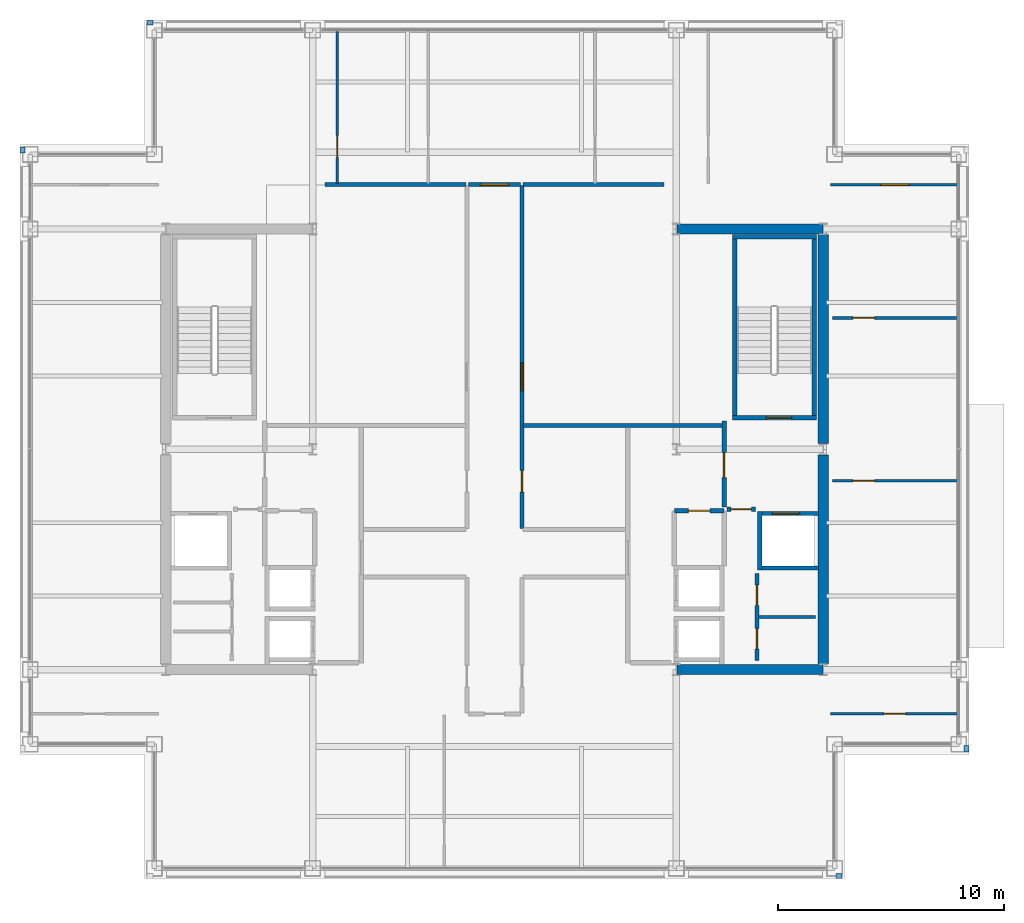
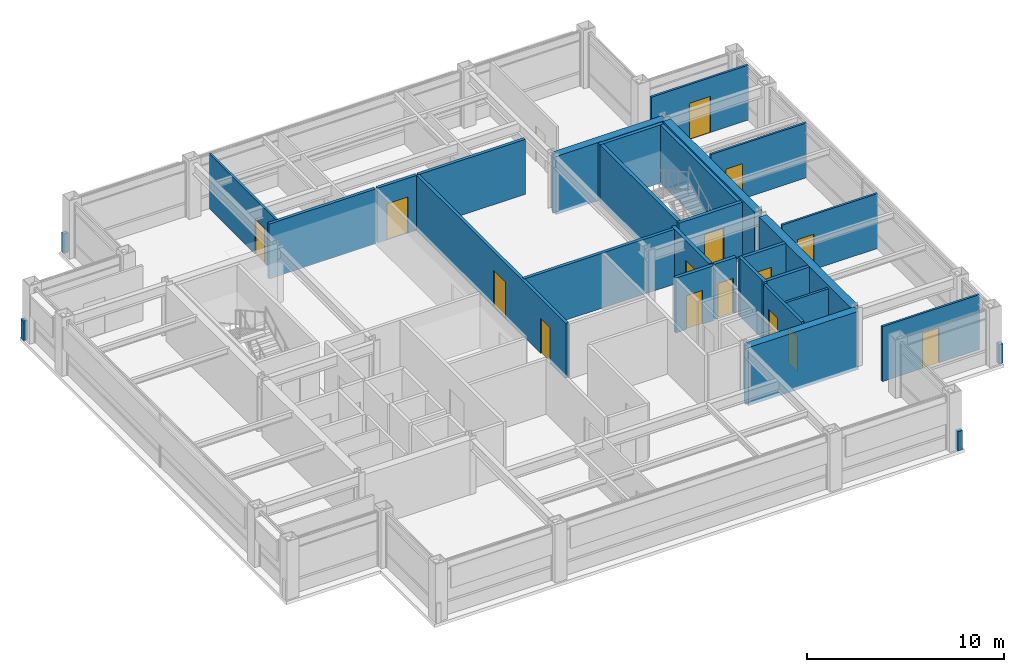
# One storey, part 24 of 26: 30 walls, 15 doors, 15 openings.
"""IFC4 building model written with IfcOpenShell, lengths in metres."""

from ifc_helpers import new_model, si_unit, direction, frame, frame_2d, origin, place, context, subcontext, project, spatial, rectangle, extrude, material, layer, layer_set, type_object, element, fill, save


model = new_model("IFC4")

# Units and contexts
model_context = context("Model", 3, precision=1e-05, world=origin(), true_north=direction((0.0, 1.0)))
body_context = subcontext(model_context, "Body", "Model", "MODEL_VIEW")
ifc_project = project(units=[si_unit("LENGTHUNIT", "METRE"), si_unit("AREAUNIT", "SQUARE_METRE"), si_unit("VOLUMEUNIT", "CUBIC_METRE"), si_unit("PLANEANGLEUNIT", "RADIAN"), si_unit("MASSUNIT", "GRAM", prefix="KILO")], contexts=[model_context])

# Site, building, storey
site_placement = place(None, origin())
site = spatial("IfcSite", under=ifc_project, at=site_placement, CompositionType="ELEMENT")
building_placement = place(site_placement, origin())
building = spatial("IfcBuilding", under=site, at=building_placement, Name="Brelmoor Portico Tower", CompositionType="ELEMENT")
storey_placement = place(building_placement, frame((0.0, 0.0, 205.5)))
storey = spatial("IfcBuildingStorey", under=building, at=storey_placement, Name="L54", CompositionType="ELEMENT", Elevation=205.5)

# Walls
ifc_material_1 = material(Name="Concrete C50", Category="concrete")
ifc_layer_1 = layer(ifc_material_1, 0.449951171875)
ifc_layer_set_1 = layer_set([ifc_layer_1], Name="Concrete C50")
wall_type_1 = type_object("IfcWallType", Name="WL-CORE-450", PredefinedType="SHEAR", material=ifc_layer_set_1)
for number, where, z_axis, x_axis, name in (
    (1, (8.070068359375, -9.75, -0.199951171875), (0.0, 0.0, 1.0), (1.0, 0.0, 0.0), "L54 EC South Shear Wall"),
    (2, (8.070068359375, 9.75, -0.199951171875), (0.0, 0.0, 1.0), (1.0, 0.0, 0.0), "L54 EC North Shear Wall"),
):
    element("IfcWall", number, at=place(storey_placement, frame(where, z_axis=z_axis, x_axis=x_axis)), inside=storey, type_object=wall_type_1, Name=name, PredefinedType="SHEAR", context=body_context, shape_type="SweptSolid", body=[
        extrude(rectangle(XDim=6.4599609375, YDim=0.449951171875, at=frame_2d((3.22998046875, 0.0))), origin(), (0.0, 0.0, 1.0), 3.599853515625),
    ])
for number, where, z_axis, x_axis, name in (
    (3, (14.550048828125, -9.5, -0.199951171875), (0.0, 0.0, 1.0), (0.0, 1.0, 0.0), "L54 EC Outer South Shear Wall"),
    (4, (14.550048828125, 0.25, -0.199951171875), (0.0, 0.0, 1.0), (0.0, 1.0, 0.0), "L54 EC Outer North Shear Wall"),
):
    element("IfcWall", number, at=place(storey_placement, frame(where, z_axis=z_axis, x_axis=x_axis)), inside=storey, type_object=wall_type_1, Name=name, PredefinedType="SHEAR", context=body_context, shape_type="SweptSolid", body=[
        extrude(rectangle(XDim=9.25, YDim=0.449951171875, at=frame_2d((4.625, 0.0))), origin(), (0.0, 0.0, 1.0), 3.599853515625),
    ])
ifc_material_2 = material(Name="Concrete C40 Parapet Upstand", Category="concrete")
ifc_layer_2 = layer(ifc_material_2, 0.219970703125)
ifc_layer_set_2 = layer_set([ifc_layer_2], Name="Concrete C40 Parapet Upstand")
wall_type_2 = type_object("IfcWallType", Name="WL-PARAPET-220", PredefinedType="PARAPET", material=ifc_layer_set_2)
for number, where, z_axis, x_axis, name in (
    (5, (15.1201171875, -18.889892578125, 0.0), (0.0, 0.0, 1.0), (1.0, 0.0, 0.0), "L54 Chamfer Vertex Parapet Pier SE1"),
    (6, (20.889892578125, -13.389892578125, 0.0), (0.0, 0.0, 1.0), (0.0, 1.0, 0.0), "L54 Chamfer Vertex Parapet Pier SE2"),
    (7, (-15.389892578125, 18.889892578125, 0.0), (0.0, 0.0, 1.0), (1.0, 0.0, 0.0), "L54 Chamfer Vertex Parapet Pier NW1"),
    (8, (-20.889892578125, 13.1201171875, 0.0), (0.0, 0.0, 1.0), (0.0, 1.0, 0.0), "L54 Chamfer Vertex Parapet Pier NW2"),
):
    element("IfcWall", number, at=place(storey_placement, frame(where, z_axis=z_axis, x_axis=x_axis)), inside=storey, type_object=wall_type_2, Name=name, PredefinedType="PARAPET", context=body_context, shape_type="SweptSolid", body=[
        extrude(rectangle(XDim=0.269775390625, YDim=0.219970703125, at=frame_2d((0.134765625, 0.0))), origin(), (0.0, 0.0, 1.0), 1.199951171875),
    ])

# Wall, opening, door
ifc_material_3 = material(Name="Lightweight Gypsum Office Partition", Category="gypsum")
ifc_layer_3 = layer(ifc_material_3, 0.1201171875)
ifc_layer_set_3 = layer_set([ifc_layer_3], Name="Lightweight Gypsum Office Partition")
wall_type_3 = type_object("IfcWallType", Name="WL-PART-120", PredefinedType="PARTITIONING", material=ifc_layer_set_3)
wall_1_placement = place(storey_placement, frame((-6.955078125, 11.77001953125, 0.0), z_axis=(0.0, 0.0, 1.0), x_axis=(0.0, 1.0, 0.0)))
wall_1 = element("IfcWall", 9, at=wall_1_placement, inside=storey, type_object=wall_type_3, Name="L54 North Suite Partition 1", PredefinedType="PARTITIONING", context=body_context, shape_type="SweptSolid", body=[
    extrude(rectangle(XDim=6.7900390625, YDim=0.1201171875, at=frame_2d((3.39501953125, 0.0))), origin(), (0.0, 0.0, 1.0), 3.39990234375),
])
opening_1_placement = place(wall_1_placement, frame((1.14990234375, 0.0, 0.0)))
opening_1 = element("IfcOpeningElement", 10, at=opening_1_placement, cuts=wall_1, Name="Opening D-IN2", PredefinedType="OPENING", context=body_context, shape_type="SweptSolid", body=[
    extrude(rectangle(XDim=0.9599609375, YDim=2.179931640625, at=frame_2d((0.47998046875, 1.08984375))), frame((0.0, 0.070068359375, 0.0), z_axis=(0.0, -1.0, 0.0), x_axis=(1.0, 0.0, 0.0)), (0.0, 0.0, 1.0), 0.14013671875),
])
ifc_material_4 = material(Name="Lacquered Timber Suite Door", Category="wood")
door_type_1 = type_object("IfcDoorType", Name="DR-INT-950", OperationType="NOTDEFINED", PredefinedType="DOOR", material=ifc_material_4)
door_1_placement = place(opening_1_placement, origin())
door_1 = element("IfcDoor", 11, at=door_1_placement, inside=storey, type_object=door_type_1, Name="D-2280 L54 North Suite Connecting Door 1", OperationType="SINGLE_SWING_LEFT", OverallHeight=2.179931640625, OverallWidth=0.9599609375, PredefinedType="DOOR", context=body_context, shape_type="SweptSolid", body=[
    extrude(rectangle(XDim=0.9599609375, YDim=2.179931640625, at=frame_2d((0.47998046875, 1.08984375))), frame((0.0, 0.02490234375, 0.0), z_axis=(0.0, -1.0, 0.0), x_axis=(1.0, 0.0, 0.0)), (0.0, 0.0, 1.0), 0.050048828125),
])
fill(opening_1, door_1)

wall_2_placement = place(storey_placement, frame((14.8798828125, 11.7099609375, 0.0), z_axis=(0.0, 0.0, 1.0), x_axis=(1.0, 0.0, 0.0)))
wall_2 = element("IfcWall", 12, at=wall_2_placement, inside=storey, type_object=wall_type_3, Name="L54 North Wing Suite Wall ER", PredefinedType="PARTITIONING", context=body_context, shape_type="SweptSolid", body=[
    extrude(rectangle(XDim=5.68017578125, YDim=0.1201171875, at=frame_2d((2.840087890625, 0.0))), origin(), (0.0, 0.0, 1.0), 3.39990234375),
])
opening_2_placement = place(wall_2_placement, frame((2.219970703125, 0.0, 0.0)))
opening_2 = element("IfcOpeningElement", 13, at=opening_2_placement, cuts=wall_2, Name="Opening D-SU1", PredefinedType="OPENING", context=body_context, shape_type="SweptSolid", body=[
    extrude(rectangle(XDim=1.239990234375, YDim=2.239990234375, at=frame_2d((0.6201171875, 1.1201171875))), frame((0.0, 0.070068359375, 0.0), z_axis=(0.0, -1.0, 0.0), x_axis=(1.0, 0.0, 0.0)), (0.0, 0.0, 1.0), 0.14013671875),
])
ifc_material_5 = material(Name="Glazed Timber Executive Suite Door", Category="wood")
door_type_2 = type_object("IfcDoorType", Name="DR-SUITE-1200", OperationType="NOTDEFINED", PredefinedType="DOOR", material=ifc_material_5)
door_2_placement = place(opening_2_placement, origin())
door_2 = element("IfcDoor", 14, at=door_2_placement, inside=storey, type_object=door_type_2, Name="D-2284 L54 ER Wing Suite Connecting Door", OperationType="SINGLE_SWING_LEFT", OverallHeight=2.239990234375, OverallWidth=1.239990234375, PredefinedType="DOOR", context=body_context, shape_type="SweptSolid", body=[
    extrude(rectangle(XDim=1.239990234375, YDim=2.239990234375, at=frame_2d((0.6201171875, 1.1201171875))), frame((0.0, 0.02490234375, 0.0), z_axis=(0.0, -1.0, 0.0), x_axis=(1.0, 0.0, 0.0)), (0.0, 0.0, 1.0), 0.050048828125),
])
fill(opening_2, door_2)

wall_3_placement = place(storey_placement, frame((14.8798828125, -11.7099609375, 0.0), z_axis=(0.0, 0.0, 1.0), x_axis=(1.0, 0.0, 0.0)))
wall_3 = element("IfcWall", 15, at=wall_3_placement, inside=storey, type_object=wall_type_3, Name="L54 South Wing Closure ER", PredefinedType="PARTITIONING", context=body_context, shape_type="SweptSolid", body=[
    extrude(rectangle(XDim=5.68017578125, YDim=0.1201171875, at=frame_2d((2.840087890625, 0.0))), origin(), (0.0, 0.0, 1.0), 3.39990234375),
])
opening_3_placement = place(wall_3_placement, frame((2.360107421875, 0.0, 0.0)))
opening_3 = element("IfcOpeningElement", 16, at=opening_3_placement, cuts=wall_3, Name="Opening D-IN2", PredefinedType="OPENING", context=body_context, shape_type="SweptSolid", body=[
    extrude(rectangle(XDim=0.9599609375, YDim=2.179931640625, at=frame_2d((0.47998046875, 1.08984375))), frame((0.0, 0.070068359375, 0.0), z_axis=(0.0, -1.0, 0.0), x_axis=(1.0, 0.0, 0.0)), (0.0, 0.0, 1.0), 0.14013671875),
])
door_3_placement = place(opening_3_placement, origin())
door_3 = element("IfcDoor", 17, at=door_3_placement, inside=storey, type_object=door_type_1, Name="D-2290 L54 ER Wing South Suite Door", OperationType="SINGLE_SWING_LEFT", OverallHeight=2.179931640625, OverallWidth=0.9599609375, PredefinedType="DOOR", context=body_context, shape_type="SweptSolid", body=[
    extrude(rectangle(XDim=0.9599609375, YDim=2.179931640625, at=frame_2d((0.47998046875, 1.08984375))), frame((0.0, 0.02490234375, 0.0), z_axis=(0.0, -1.0, 0.0), x_axis=(1.0, 0.0, 0.0)), (0.0, 0.0, 1.0), 0.050048828125),
])
fill(opening_3, door_3)

wall_4_placement = place(storey_placement, frame((14.9599609375, -1.3955078125, 0.0), z_axis=(0.0, 0.0, 1.0), x_axis=(1.0, 0.0, 0.0)))
wall_4 = element("IfcWall", 18, at=wall_4_placement, inside=storey, type_object=wall_type_3, Name="L54 E Wing Partition 1", PredefinedType="PARTITIONING", context=body_context, shape_type="SweptSolid", body=[
    extrude(rectangle(XDim=5.60009765625, YDim=0.1201171875, at=frame_2d((2.800048828125, 0.0))), origin(), (0.0, 0.0, 1.0), 3.39990234375),
])
opening_4_placement = place(wall_4_placement, frame((0.89990234375, 0.0, 0.0)))
opening_4 = element("IfcOpeningElement", 19, at=opening_4_placement, cuts=wall_4, Name="Opening D-IN2", PredefinedType="OPENING", context=body_context, shape_type="SweptSolid", body=[
    extrude(rectangle(XDim=0.9599609375, YDim=2.179931640625, at=frame_2d((0.47998046875, 1.08984375))), frame((0.0, 0.070068359375, 0.0), z_axis=(0.0, -1.0, 0.0), x_axis=(1.0, 0.0, 0.0)), (0.0, 0.0, 1.0), 0.14013671875),
])
door_4_placement = place(opening_4_placement, origin())
door_4 = element("IfcDoor", 20, at=door_4_placement, inside=storey, type_object=door_type_1, Name="D-2292 L54 E Wing Suite Connecting Door 1", OperationType="SINGLE_SWING_RIGHT", OverallHeight=2.179931640625, OverallWidth=0.9599609375, PredefinedType="DOOR", context=body_context, shape_type="SweptSolid", body=[
    extrude(rectangle(XDim=0.9599609375, YDim=2.179931640625, at=frame_2d((0.47998046875, 1.08984375))), frame((0.0, 0.02490234375, 0.0), z_axis=(0.0, -1.0, 0.0), x_axis=(1.0, 0.0, 0.0)), (0.0, 0.0, 1.0), 0.050048828125),
])
fill(opening_4, door_4)

wall_5_placement = place(storey_placement, frame((14.9599609375, 5.81494140625, 0.0), z_axis=(0.0, 0.0, 1.0), x_axis=(1.0, 0.0, 0.0)))
wall_5 = element("IfcWall", 21, at=wall_5_placement, inside=storey, type_object=wall_type_3, Name="L54 E Wing Partition 2", PredefinedType="PARTITIONING", context=body_context, shape_type="SweptSolid", body=[
    extrude(rectangle(XDim=5.60009765625, YDim=0.1201171875, at=frame_2d((2.800048828125, 0.0))), origin(), (0.0, 0.0, 1.0), 3.39990234375),
])
opening_5_placement = place(wall_5_placement, frame((0.89990234375, 0.0, 0.0)))
opening_5 = element("IfcOpeningElement", 22, at=opening_5_placement, cuts=wall_5, Name="Opening D-IN2", PredefinedType="OPENING", context=body_context, shape_type="SweptSolid", body=[
    extrude(rectangle(XDim=0.9599609375, YDim=2.179931640625, at=frame_2d((0.47998046875, 1.08984375))), frame((0.0, 0.070068359375, 0.0), z_axis=(0.0, -1.0, 0.0), x_axis=(1.0, 0.0, 0.0)), (0.0, 0.0, 1.0), 0.14013671875),
])
door_5_placement = place(opening_5_placement, origin())
door_5 = element("IfcDoor", 23, at=door_5_placement, inside=storey, type_object=door_type_1, Name="D-2293 L54 E Wing Suite Connecting Door 2", OperationType="SINGLE_SWING_LEFT", OverallHeight=2.179931640625, OverallWidth=0.9599609375, PredefinedType="DOOR", context=body_context, shape_type="SweptSolid", body=[
    extrude(rectangle(XDim=0.9599609375, YDim=2.179931640625, at=frame_2d((0.47998046875, 1.08984375))), frame((0.0, 0.02490234375, 0.0), z_axis=(0.0, -1.0, 0.0), x_axis=(1.0, 0.0, 0.0)), (0.0, 0.0, 1.0), 0.050048828125),
])
fill(opening_5, door_5)

# Wall
ifc_material_6 = material(Name="Insulated Stud Suite Partition", Category="gypsum")
ifc_layer_4 = layer(ifc_material_6, 0.139892578125)
ifc_layer_set_4 = layer_set([ifc_layer_4], Name="Insulated Stud Suite Partition")
wall_type_4 = type_object("IfcWallType", Name="WL-PART-140", PredefinedType="PARTITIONING", material=ifc_layer_set_4)
wall_6_placement = place(storey_placement, frame((11.699951171875, -7.425048828125, 0.0), z_axis=(0.0, 0.0, 1.0), x_axis=(1.0, 0.0, 0.0)))
element("IfcWall", 24, at=wall_6_placement, inside=storey, type_object=wall_type_4, Name="L54 E Core WC Divider 1", PredefinedType="PARTITIONING", context=body_context, shape_type="SweptSolid", body=[
    extrude(rectangle(XDim=2.5, YDim=0.139892578125, at=frame_2d((1.25, 0.0))), origin(), (0.0, 0.0, 1.0), 3.39990234375),
])

# Wall, openings, doors
ifc_material_7 = material(Name="Twin-Frame Acoustic Partition", Category="gypsum")
ifc_layer_5 = layer(ifc_material_7, 0.159912109375)
ifc_layer_set_5 = layer_set([ifc_layer_5], Name="Twin-Frame Acoustic Partition")
wall_type_5 = type_object("IfcWallType", Name="WL-PART-160", PredefinedType="PARTITIONING", material=ifc_layer_set_5)
wall_7_placement = place(storey_placement, frame((11.6201171875, -9.35009765625, 0.0), z_axis=(0.0, 0.0, 1.0), x_axis=(0.0, 1.0, 0.0)))
wall_7 = element("IfcWall", 25, at=wall_7_placement, inside=storey, type_object=wall_type_5, Name="L54 E Core Service Front Wall", PredefinedType="PARTITIONING", context=body_context, shape_type="SweptSolid", body=[
    extrude(rectangle(XDim=3.85009765625, YDim=0.159912109375, at=frame_2d((1.925048828125, 0.0))), origin(), (0.0, 0.0, 1.0), 3.39990234375),
])
opening_6_placement = place(wall_7_placement, frame((0.512451171875, 0.0, 0.0)))
opening_6 = element("IfcOpeningElement", 26, at=opening_6_placement, cuts=wall_7, Name="Opening D-IN1", PredefinedType="OPENING", context=body_context, shape_type="SweptSolid", body=[
    extrude(rectangle(XDim=0.89990234375, YDim=2.14990234375, at=frame_2d((0.449951171875, 1.074951171875))), frame((0.0, 0.08984375, 0.0), z_axis=(0.0, -1.0, 0.0), x_axis=(1.0, 0.0, 0.0)), (0.0, 0.0, 1.0), 0.179931640625),
])
opening_7_placement = place(wall_7_placement, frame((2.4375, 0.0, 0.0)))
opening_7 = element("IfcOpeningElement", 27, at=opening_7_placement, cuts=wall_7, Name="Opening D-IN1", PredefinedType="OPENING", context=body_context, shape_type="SweptSolid", body=[
    extrude(rectangle(XDim=0.89990234375, YDim=2.14990234375, at=frame_2d((0.449951171875, 1.074951171875))), frame((0.0, 0.08984375, 0.0), z_axis=(0.0, -1.0, 0.0), x_axis=(1.0, 0.0, 0.0)), (0.0, 0.0, 1.0), 0.179931640625),
])
door_type_3 = type_object("IfcDoorType", Name="DR-INT-900", OperationType="NOTDEFINED", PredefinedType="DOOR", material=ifc_material_4)
door_6_placement = place(opening_6_placement, origin())
door_6 = element("IfcDoor", 28, at=door_6_placement, inside=storey, type_object=door_type_3, Name="D-2266 L54 E Male WC Door", OperationType="SINGLE_SWING_LEFT", OverallHeight=2.14990234375, OverallWidth=0.89990234375, PredefinedType="DOOR", context=body_context, shape_type="SweptSolid", body=[
    extrude(rectangle(XDim=0.89990234375, YDim=2.14990234375, at=frame_2d((0.449951171875, 1.074951171875))), frame((0.0, 0.02490234375, 0.0), z_axis=(0.0, -1.0, 0.0), x_axis=(1.0, 0.0, 0.0)), (0.0, 0.0, 1.0), 0.050048828125),
])
fill(opening_6, door_6)
door_7_placement = place(opening_7_placement, origin())
door_7 = element("IfcDoor", 29, at=door_7_placement, inside=storey, type_object=door_type_3, Name="D-2267 L54 E Female WC Door", OperationType="SINGLE_SWING_RIGHT", OverallHeight=2.14990234375, OverallWidth=0.89990234375, PredefinedType="DOOR", context=body_context, shape_type="SweptSolid", body=[
    extrude(rectangle(XDim=0.89990234375, YDim=2.14990234375, at=frame_2d((0.449951171875, 1.074951171875))), frame((0.0, 0.02490234375, 0.0), z_axis=(0.0, -1.0, 0.0), x_axis=(1.0, 0.0, 0.0)), (0.0, 0.0, 1.0), 0.050048828125),
])
fill(opening_7, door_7)

# Walls
ifc_material_8 = material(Name="Acoustic Corridor Fire Partition", Category="gypsum")
ifc_layer_6 = layer(ifc_material_8, 0.179931640625)
ifc_layer_set_6 = layer_set([ifc_layer_6], Name="Acoustic Corridor Fire Partition")
wall_type_6 = type_object("IfcWallType", Name="WL-PART-180", PredefinedType="PARTITIONING", material=ifc_layer_set_6)
wall_8_placement = place(storey_placement, frame((-7.5, 11.7099609375, 0.0), z_axis=(0.0, 0.0, 1.0), x_axis=(1.0, 0.0, 0.0)))
element("IfcWall", 30, at=wall_8_placement, inside=storey, type_object=wall_type_6, Name="L54 West Reclaimed Suite North Wall", PredefinedType="PARTITIONING", context=body_context, shape_type="SweptSolid", body=[
    extrude(rectangle(XDim=6.239990234375, YDim=0.179931640625, at=frame_2d((3.1201171875, 0.0))), origin(), (0.0, 0.0, 1.0), 3.39990234375),
])
wall_9_placement = place(storey_placement, frame((1.260009765625, 1.050048828125, 0.0), z_axis=(0.0, 0.0, 1.0), x_axis=(1.0, 0.0, 0.0)))
element("IfcWall", 31, at=wall_9_placement, inside=storey, type_object=wall_type_6, Name="L54 East Suite South Wall", PredefinedType="PARTITIONING", context=body_context, shape_type="SweptSolid", body=[
    extrude(rectangle(XDim=8.800048828125, YDim=0.179931640625, at=frame_2d((4.39990234375, 0.0))), origin(), (0.0, 0.0, 1.0), 3.39990234375),
])

# Wall, openings, doors
wall_10_placement = place(storey_placement, frame((1.219970703125, -3.5, 0.0), z_axis=(0.0, 0.0, 1.0), x_axis=(0.0, 1.0, 0.0)))
wall_10 = element("IfcWall", 32, at=wall_10_placement, inside=storey, type_object=wall_type_6, Name="L54 Central Cross East Wall", PredefinedType="PARTITIONING", context=body_context, shape_type="SweptSolid", body=[
    extrude(rectangle(XDim=15.169921875, YDim=0.179931640625, at=frame_2d((7.5849609375, 0.0))), origin(), (0.0, 0.0, 1.0), 3.39990234375),
])
opening_8_placement = place(wall_10_placement, frame((6.10009765625, 0.0, 0.0)))
opening_8 = element("IfcOpeningElement", 33, at=opening_8_placement, cuts=wall_10, Name="Opening D-SU1", PredefinedType="OPENING", context=body_context, shape_type="SweptSolid", body=[
    extrude(rectangle(XDim=1.239990234375, YDim=2.239990234375, at=frame_2d((0.6201171875, 1.1201171875))), frame((0.0, 0.099853515625, 0.0), z_axis=(0.0, -1.0, 0.0), x_axis=(1.0, 0.0, 0.0)), (0.0, 0.0, 1.0), 0.199951171875),
])
opening_9_placement = place(wall_10_placement, frame((1.60009765625, 0.0, 0.0)))
opening_9 = element("IfcOpeningElement", 34, at=opening_9_placement, cuts=wall_10, Name="Opening D-IN2", PredefinedType="OPENING", context=body_context, shape_type="SweptSolid", body=[
    extrude(rectangle(XDim=0.9599609375, YDim=2.179931640625, at=frame_2d((0.47998046875, 1.08984375))), frame((0.0, 0.099853515625, 0.0), z_axis=(0.0, -1.0, 0.0), x_axis=(1.0, 0.0, 0.0)), (0.0, 0.0, 1.0), 0.199951171875),
])
door_8_placement = place(opening_9_placement, origin())
door_8 = element("IfcDoor", 35, at=door_8_placement, inside=storey, type_object=door_type_1, Name="D-2260 L54 Client Project Office Door", OperationType="SINGLE_SWING_RIGHT", OverallHeight=2.179931640625, OverallWidth=0.9599609375, PredefinedType="DOOR", context=body_context, shape_type="SweptSolid", body=[
    extrude(rectangle(XDim=0.9599609375, YDim=2.179931640625, at=frame_2d((0.47998046875, 1.08984375))), frame((0.0, 0.02490234375, 0.0), z_axis=(0.0, -1.0, 0.0), x_axis=(1.0, 0.0, 0.0)), (0.0, 0.0, 1.0), 0.050048828125),
])
fill(opening_9, door_8)
door_9_placement = place(opening_8_placement, origin())
door_9 = element("IfcDoor", 36, at=door_9_placement, inside=storey, type_object=door_type_2, Name="D-2261 L54 East Reclaimed Studio Door", OperationType="SINGLE_SWING_LEFT", OverallHeight=2.239990234375, OverallWidth=1.239990234375, PredefinedType="DOOR", context=body_context, shape_type="SweptSolid", body=[
    extrude(rectangle(XDim=1.239990234375, YDim=2.239990234375, at=frame_2d((0.6201171875, 1.1201171875))), frame((0.0, 0.02490234375, 0.0), z_axis=(0.0, -1.0, 0.0), x_axis=(1.0, 0.0, 0.0)), (0.0, 0.0, 1.0), 0.050048828125),
])
fill(opening_8, door_9)

# Wall
wall_11_placement = place(storey_placement, frame((1.260009765625, 11.7099609375, 0.0), z_axis=(0.0, 0.0, 1.0), x_axis=(1.0, 0.0, 0.0)))
element("IfcWall", 37, at=wall_11_placement, inside=storey, type_object=wall_type_6, Name="L54 East Suite North Wall", PredefinedType="PARTITIONING", context=body_context, shape_type="SweptSolid", body=[
    extrude(rectangle(XDim=6.239990234375, YDim=0.179931640625, at=frame_2d((3.1201171875, 0.0))), origin(), (0.0, 0.0, 1.0), 3.39990234375),
])

# Wall, opening, door
wall_12_placement = place(storey_placement, frame((-1.14990234375, 11.7099609375, 0.0), z_axis=(0.0, 0.0, 1.0), x_axis=(1.0, 0.0, 0.0)))
wall_12 = element("IfcWall", 38, at=wall_12_placement, inside=storey, type_object=wall_type_6, Name="L54 North Corridor Partition", PredefinedType="PARTITIONING", context=body_context, shape_type="SweptSolid", body=[
    extrude(rectangle(XDim=2.2998046875, YDim=0.179931640625, at=frame_2d((1.14990234375, 0.0))), origin(), (0.0, 0.0, 1.0), 3.39990234375),
])
opening_10_placement = place(wall_12_placement, frame((0.530029296875, 0.0, 0.0)))
opening_10 = element("IfcOpeningElement", 39, at=opening_10_placement, cuts=wall_12, Name="Opening D-SU1", PredefinedType="OPENING", context=body_context, shape_type="SweptSolid", body=[
    extrude(rectangle(XDim=1.239990234375, YDim=2.239990234375, at=frame_2d((0.6201171875, 1.1201171875))), frame((0.0, 0.099853515625, 0.0), z_axis=(0.0, -1.0, 0.0), x_axis=(1.0, 0.0, 0.0)), (0.0, 0.0, 1.0), 0.199951171875),
])
door_10_placement = place(opening_10_placement, origin())
door_10 = element("IfcDoor", 40, at=door_10_placement, inside=storey, type_object=door_type_2, Name="D-2279 L54 North Partner Office 3 Door", OperationType="SINGLE_SWING_LEFT", OverallHeight=2.239990234375, OverallWidth=1.239990234375, PredefinedType="DOOR", context=body_context, shape_type="SweptSolid", body=[
    extrude(rectangle(XDim=1.239990234375, YDim=2.239990234375, at=frame_2d((0.6201171875, 1.1201171875))), frame((0.0, 0.02490234375, 0.0), z_axis=(0.0, -1.0, 0.0), x_axis=(1.0, 0.0, 0.0)), (0.0, 0.0, 1.0), 0.050048828125),
])
fill(opening_10, door_10)

ifc_material_9 = material(Name="Double-Stud Gypsum Fire Partition", Category="gypsum")
ifc_layer_7 = layer(ifc_material_9, 0.199951171875)
ifc_layer_set_7 = layer_set([ifc_layer_7], Name="Double-Stud Gypsum Fire Partition")
wall_type_7 = type_object("IfcWallType", Name="WL-PART-200", PredefinedType="PARTITIONING", material=ifc_layer_set_7)
wall_13_placement = place(storey_placement, frame((10.159912109375, -2.550048828125, 0.0), z_axis=(0.0, 0.0, 1.0), x_axis=(0.0, 1.0, 0.0)))
wall_13 = element("IfcWall", 41, at=wall_13_placement, inside=storey, type_object=wall_type_7, Name="L54 E Firefighting Lobby Wall", PredefinedType="PARTITIONING", context=body_context, shape_type="SweptSolid", body=[
    extrude(rectangle(XDim=3.800048828125, YDim=0.199951171875, at=frame_2d((1.89990234375, 0.0))), origin(), (0.0, 0.0, 1.0), 3.39990234375),
])
opening_11_placement = place(wall_13_placement, frame((1.300048828125, 0.0, 0.0)))
opening_11 = element("IfcOpeningElement", 42, at=opening_11_placement, cuts=wall_13, Name="Opening D-FR1", PredefinedType="OPENING", context=body_context, shape_type="SweptSolid", body=[
    extrude(rectangle(XDim=1.10009765625, YDim=2.14990234375, at=frame_2d((0.550048828125, 1.074951171875))), frame((0.0, 0.10986328125, 0.0), z_axis=(0.0, -1.0, 0.0), x_axis=(1.0, 0.0, 0.0)), (0.0, 0.0, 1.0), 0.219970703125),
])
ifc_material_10 = material(Name="Painted Galvanised Steel Fire Door", Category="steel")
door_type_4 = type_object("IfcDoorType", Name="DR-FIRE-1100", OperationType="NOTDEFINED", PredefinedType="DOOR", material=ifc_material_10)
door_11_placement = place(opening_11_placement, origin())
door_11 = element("IfcDoor", 43, at=door_11_placement, inside=storey, type_object=door_type_4, Name="D-2275 L54 E Firefighting Lobby Door", OperationType="SINGLE_SWING_RIGHT", OverallHeight=2.14990234375, OverallWidth=1.10009765625, PredefinedType="DOOR", context=body_context, shape_type="SweptSolid", body=[
    extrude(rectangle(XDim=1.10009765625, YDim=2.14990234375, at=frame_2d((0.550048828125, 1.074951171875))), frame((0.0, 0.02490234375, 0.0), z_axis=(0.0, -1.0, 0.0), x_axis=(1.0, 0.0, 0.0)), (0.0, 0.0, 1.0), 0.050048828125),
])
fill(opening_11, door_11)

wall_14_placement = place(storey_placement, frame((10.280029296875, -2.64990234375, 0.0), z_axis=(0.0, 0.0, 1.0), x_axis=(1.0, 0.0, 0.0)))
wall_14 = element("IfcWall", 44, at=wall_14_placement, inside=storey, type_object=wall_type_7, Name="L54 E Firefighting Lobby South Wall", PredefinedType="PARTITIONING", context=body_context, shape_type="SweptSolid", body=[
    extrude(rectangle(XDim=1.27001953125, YDim=0.199951171875, at=frame_2d((0.635009765625, 0.0))), origin(), (0.0, 0.0, 1.0), 3.39990234375),
])
opening_12_placement = place(wall_14_placement, frame((0.18505859375, 0.0, 0.0)))
opening_12 = element("IfcOpeningElement", 45, at=opening_12_placement, cuts=wall_14, Name="Opening D-IN1", PredefinedType="OPENING", context=body_context, shape_type="SweptSolid", body=[
    extrude(rectangle(XDim=0.89990234375, YDim=2.14990234375, at=frame_2d((0.449951171875, 1.074951171875))), frame((0.0, 0.10986328125, 0.0), z_axis=(0.0, -1.0, 0.0), x_axis=(1.0, 0.0, 0.0)), (0.0, 0.0, 1.0), 0.219970703125),
])
door_12_placement = place(opening_12_placement, origin())
door_12 = element("IfcDoor", 46, at=door_12_placement, inside=storey, type_object=door_type_3, Name="D-2268 L54 E Core Service Vestibule Door", OperationType="SINGLE_SWING_LEFT", OverallHeight=2.14990234375, OverallWidth=0.89990234375, PredefinedType="DOOR", context=body_context, shape_type="SweptSolid", body=[
    extrude(rectangle(XDim=0.89990234375, YDim=2.14990234375, at=frame_2d((0.449951171875, 1.074951171875))), frame((0.0, 0.02490234375, 0.0), z_axis=(0.0, -1.0, 0.0), x_axis=(1.0, 0.0, 0.0)), (0.0, 0.0, 1.0), 0.050048828125),
])
fill(opening_12, door_12)

wall_15_placement = place(storey_placement, frame((7.9599609375, -2.719970703125, 0.0), z_axis=(0.0, 0.0, 1.0), x_axis=(1.0, 0.0, 0.0)))
wall_15 = element("IfcWall", 47, at=wall_15_placement, inside=storey, type_object=wall_type_7, Name="L54 E Electrical Switchgear Closet Wall", PredefinedType="PARTITIONING", context=body_context, shape_type="SweptSolid", body=[
    extrude(rectangle(XDim=2.199951171875, YDim=0.199951171875, at=frame_2d((1.10009765625, 0.0))), origin(), (0.0, 0.0, 1.0), 3.39990234375),
])
opening_13_placement = place(wall_15_placement, frame((0.6201171875, 0.0, 0.0)))
opening_13 = element("IfcOpeningElement", 48, at=opening_13_placement, cuts=wall_15, Name="Opening D-FR4", PredefinedType="OPENING", context=body_context, shape_type="SweptSolid", body=[
    extrude(rectangle(XDim=0.949951171875, YDim=2.10009765625, at=frame_2d((0.47509765625, 1.050048828125))), frame((0.0, 0.10986328125, 0.0), z_axis=(0.0, -1.0, 0.0), x_axis=(1.0, 0.0, 0.0)), (0.0, 0.0, 1.0), 0.219970703125),
])
ifc_material_11 = material(Name="Painted Galvanised Steel Riser Door", Category="steel")
door_type_5 = type_object("IfcDoorType", Name="DR-FIRE-950", OperationType="NOTDEFINED", PredefinedType="DOOR", material=ifc_material_11)
door_13_placement = place(opening_13_placement, origin())
door_13 = element("IfcDoor", 49, at=door_13_placement, inside=storey, type_object=door_type_5, Name="D-2273 L54 E Electrical Switchgear Closet Door", OperationType="SINGLE_SWING_RIGHT", OverallHeight=2.10009765625, OverallWidth=0.949951171875, PredefinedType="DOOR", context=body_context, shape_type="SweptSolid", body=[
    extrude(rectangle(XDim=0.949951171875, YDim=2.10009765625, at=frame_2d((0.47509765625, 1.050048828125))), frame((0.0, 0.02490234375, 0.0), z_axis=(0.0, -1.0, 0.0), x_axis=(1.0, 0.0, 0.0)), (0.0, 0.0, 1.0), 0.050048828125),
])
fill(opening_13, door_13)

ifc_material_12 = material(Name="Precast Concrete C40", Category="concrete")
ifc_layer_8 = layer(ifc_material_12, 0.18994140625)
ifc_layer_set_8 = layer_set([ifc_layer_8], Name="Precast Concrete C40")
wall_type_8 = type_object("IfcWallType", Name="WL-SHAFT-180", PredefinedType="SOLIDWALL", material=ifc_layer_set_8)
wall_16_placement = place(storey_placement, frame((11.64990234375, -2.844970703125, -0.199951171875), z_axis=(0.0, 0.0, 1.0), x_axis=(1.0, 0.0, 0.0)))
wall_16 = element("IfcWall", 50, at=wall_16_placement, inside=storey, type_object=wall_type_8, Name="L54 Lift FF2 Hoistway Front Wall", PredefinedType="SOLIDWALL", context=body_context, shape_type="SweptSolid", body=[
    extrude(rectangle(XDim=2.68017578125, YDim=0.18994140625, at=frame_2d((1.340087890625, 0.0))), origin(), (0.0, 0.0, 1.0), 3.599853515625),
])
opening_14_placement = place(wall_16_placement, frame((0.64990234375, 0.0, 0.199951171875)))
opening_14 = element("IfcOpeningElement", 51, at=opening_14_placement, cuts=wall_16, Name="Opening LD-02", PredefinedType="OPENING", context=body_context, shape_type="SweptSolid", body=[
    extrude(rectangle(XDim=1.199951171875, YDim=2.199951171875, at=frame_2d((0.60009765625, 1.10009765625))), frame((0.0, 0.10498046875, 0.0), z_axis=(0.0, -1.0, 0.0), x_axis=(1.0, 0.0, 0.0)), (0.0, 0.0, 1.0), 0.2099609375),
])
ifc_material_13 = material(Name="Brushed Stainless Steel Firefighting Lift Door", Category="steel")
door_type_6 = type_object("IfcDoorType", Name="DR-LIFT-1200", OperationType="NOTDEFINED", PredefinedType="DOOR", material=ifc_material_13)
door_14_placement = place(opening_14_placement, origin())
door_14 = element("IfcDoor", 52, at=door_14_placement, inside=storey, type_object=door_type_6, Name="D-2295 L54 Lift FF2 Sliding Landing Door", OperationType="SLIDING_TO_LEFT", OverallHeight=2.199951171875, OverallWidth=1.199951171875, PredefinedType="DOOR", context=body_context, shape_type="SweptSolid", body=[
    extrude(rectangle(XDim=1.199951171875, YDim=2.199951171875, at=frame_2d((0.60009765625, 1.10009765625))), frame((0.0, 0.02490234375, 0.0), z_axis=(0.0, -1.0, 0.0), x_axis=(1.0, 0.0, 0.0)), (0.0, 0.0, 1.0), 0.050048828125),
])
fill(opening_14, door_14)

# Walls
wall_17_placement = place(storey_placement, frame((11.64990234375, -5.2548828125, -0.199951171875), z_axis=(0.0, 0.0, 1.0), x_axis=(1.0, 0.0, 0.0)))
element("IfcWall", 53, at=wall_17_placement, inside=storey, type_object=wall_type_8, Name="L54 Firefighting Lift FF2 South Wall", PredefinedType="SOLIDWALL", context=body_context, shape_type="SweptSolid", body=[
    extrude(rectangle(XDim=2.68017578125, YDim=0.18994140625, at=frame_2d((1.340087890625, 0.0))), origin(), (0.0, 0.0, 1.0), 3.599853515625),
])
wall_18_placement = place(storey_placement, frame((11.7451171875, -5.35009765625, -0.199951171875), z_axis=(0.0, 0.0, 1.0), x_axis=(0.0, 1.0, 0.0)))
element("IfcWall", 54, at=wall_18_placement, inside=storey, type_object=wall_type_8, Name="L54 Firefighting Lift FF2 Inner Wall", PredefinedType="SOLIDWALL", context=body_context, shape_type="SweptSolid", body=[
    extrude(rectangle(XDim=2.60009765625, YDim=0.18994140625, at=frame_2d((1.300048828125, 0.0))), origin(), (0.0, 0.0, 1.0), 3.599853515625),
])
ifc_material_14 = material(Name="Concrete C40", Category="concrete")
ifc_layer_9 = layer(ifc_material_14, 0.199951171875)
ifc_layer_set_9 = layer_set([ifc_layer_9], Name="Concrete C40")
wall_type_9 = type_object("IfcWallType", Name="WL-SHAFT-RC200", PredefinedType="SOLIDWALL", material=ifc_layer_set_9)
wall_19_placement = place(storey_placement, frame((14.14990234375, 1.5, -0.199951171875), z_axis=(0.0, 0.0, 1.0), x_axis=(0.0, 1.0, 0.0)))
element("IfcWall", 55, at=wall_19_placement, inside=storey, type_object=wall_type_9, Name="L54 ST-E Structural Stair Wall Outer", PredefinedType="SOLIDWALL", context=body_context, shape_type="SweptSolid", body=[
    extrude(rectangle(XDim=7.800048828125, YDim=0.199951171875, at=frame_2d((3.89990234375, 0.0))), origin(), (0.0, 0.0, 1.0), 3.599853515625),
])

# Wall, opening, door
wall_20_placement = place(storey_placement, frame((10.530029296875, 1.39990234375, -0.199951171875), z_axis=(0.0, 0.0, 1.0), x_axis=(1.0, 0.0, 0.0)))
wall_20 = element("IfcWall", 56, at=wall_20_placement, inside=storey, type_object=wall_type_9, Name="L54 ST-E Structural Stair Wall S", PredefinedType="SOLIDWALL", context=body_context, shape_type="SweptSolid", body=[
    extrude(rectangle(XDim=3.719970703125, YDim=0.199951171875, at=frame_2d((1.85986328125, 0.0))), origin(), (0.0, 0.0, 1.0), 3.599853515625),
])
opening_15_placement = place(wall_20_placement, frame((1.5, 0.0, 0.199951171875)))
opening_15 = element("IfcOpeningElement", 57, at=opening_15_placement, cuts=wall_20, Name="Opening D-ST1", PredefinedType="OPENING", context=body_context, shape_type="SweptSolid", body=[
    extrude(rectangle(XDim=1.1201171875, YDim=2.179931640625, at=frame_2d((0.56005859375, 1.08984375))), frame((0.0, 0.10986328125, 0.0), z_axis=(0.0, -1.0, 0.0), x_axis=(1.0, 0.0, 0.0)), (0.0, 0.0, 1.0), 0.219970703125),
])
door_type_7 = type_object("IfcDoorType", Name="DR-STAIR-1100", OperationType="NOTDEFINED", PredefinedType="DOOR", material=ifc_material_10)
door_15_placement = place(opening_15_placement, origin())
door_15 = element("IfcDoor", 58, at=door_15_placement, inside=storey, type_object=door_type_7, Name="D-2288 L54 ST-E Protected Exit Stair Door", OperationType="SINGLE_SWING_RIGHT", OverallHeight=2.179931640625, OverallWidth=1.1201171875, PredefinedType="DOOR", context=body_context, shape_type="SweptSolid", body=[
    extrude(rectangle(XDim=1.1201171875, YDim=2.179931640625, at=frame_2d((0.56005859375, 1.08984375))), frame((0.0, 0.02490234375, 0.0), z_axis=(0.0, -1.0, 0.0), x_axis=(1.0, 0.0, 0.0)), (0.0, 0.0, 1.0), 0.050048828125),
])
fill(opening_15, door_15)

# Walls
wall_21_placement = place(storey_placement, frame((10.530029296875, 9.39990234375, -0.199951171875), z_axis=(0.0, 0.0, 1.0), x_axis=(1.0, 0.0, 0.0)))
element("IfcWall", 59, at=wall_21_placement, inside=storey, type_object=wall_type_9, Name="L54 ST-E Structural Stair Wall N", PredefinedType="SOLIDWALL", context=body_context, shape_type="SweptSolid", body=[
    extrude(rectangle(XDim=3.719970703125, YDim=0.199951171875, at=frame_2d((1.85986328125, 0.0))), origin(), (0.0, 0.0, 1.0), 3.599853515625),
])
wall_22_placement = place(storey_placement, frame((10.6298828125, 1.5, -0.199951171875), z_axis=(0.0, 0.0, 1.0), x_axis=(0.0, 1.0, 0.0)))
element("IfcWall", 60, at=wall_22_placement, inside=storey, type_object=wall_type_9, Name="L54 ST-E Structural Stair Wall Inner", PredefinedType="SOLIDWALL", context=body_context, shape_type="SweptSolid", body=[
    extrude(rectangle(XDim=7.800048828125, YDim=0.199951171875, at=frame_2d((3.89990234375, 0.0))), origin(), (0.0, 0.0, 1.0), 3.599853515625),
])

save(model, "model.ifc")
